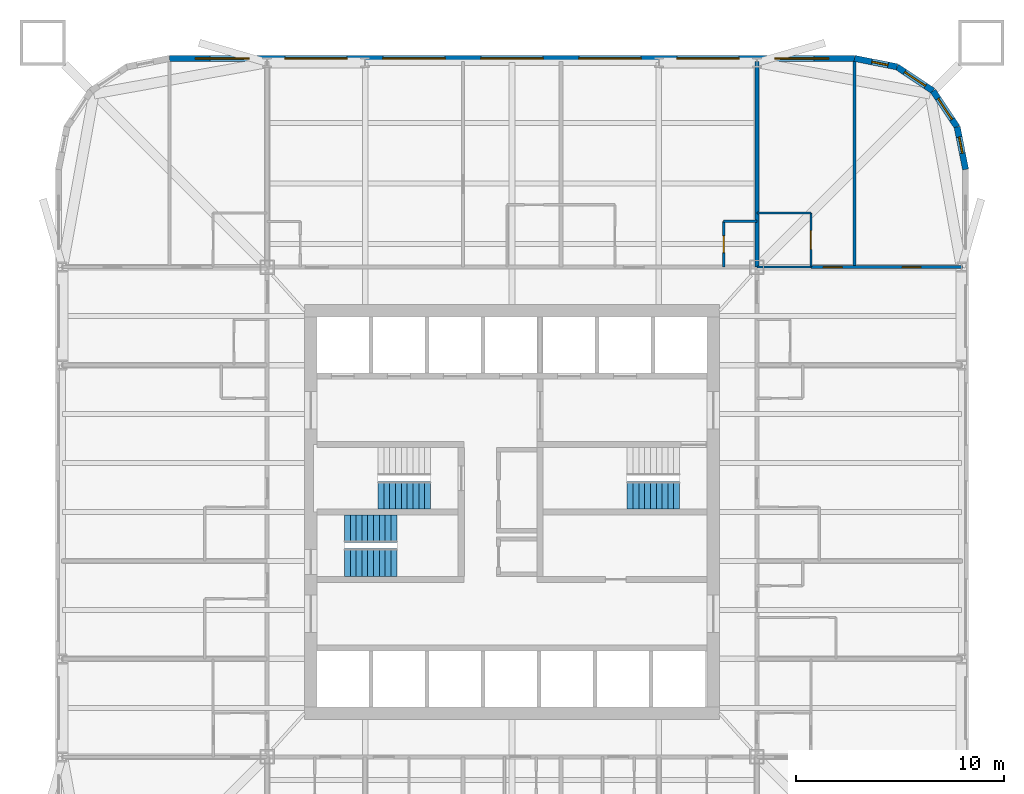
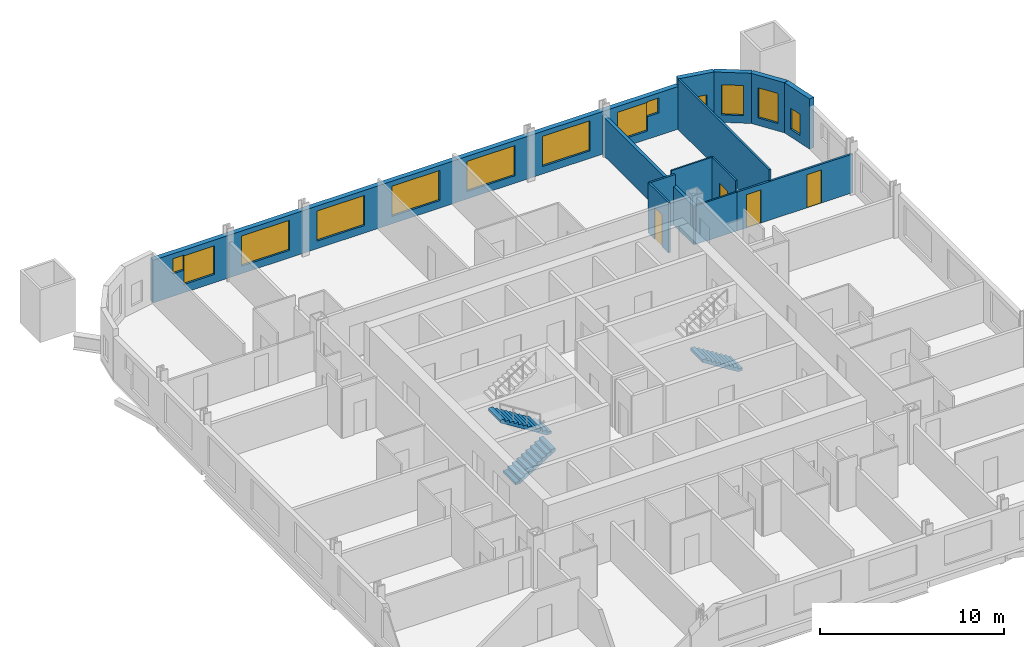
# One storey, part 8 of 10: 13 walls, 13 windows, 4 doors, 4 stair flights, 17 openings, 3 elements without a shape of their own.
"""IFC4 building model written with IfcOpenShell, lengths in metres."""

from ifc_helpers import new_model, si_unit, direction, frame, frame_2d, origin, place, context, subcontext, project, spatial, polyline, rectangle, outline, extrude, material, layer, layer_set, type_object, element, fill, aggregate, save


model = new_model("IFC4")

# Units and contexts
model_context = context("Model", 3, precision=1e-05, world=origin(), true_north=direction((0.0, 1.0)))
body_context = subcontext(model_context, "Body", "Model", "MODEL_VIEW")
ifc_project = project(units=[si_unit("LENGTHUNIT", "METRE"), si_unit("AREAUNIT", "SQUARE_METRE"), si_unit("VOLUMEUNIT", "CUBIC_METRE"), si_unit("PLANEANGLEUNIT", "RADIAN"), si_unit("MASSUNIT", "GRAM", prefix="KILO")], contexts=[model_context])

# Site, building, storey
site_placement = place(None, origin())
site = spatial("IfcSite", under=ifc_project, at=site_placement, CompositionType="ELEMENT")
building_placement = place(site_placement, origin())
building = spatial("IfcBuilding", under=site, at=building_placement, Name="Turquesa Mirador Hotel Tower", CompositionType="ELEMENT")
storey_placement = place(building_placement, frame((0.0, 0.0, 77.5)))
storey = spatial("IfcBuildingStorey", under=building, at=storey_placement, Name="L20", CompositionType="ELEMENT", Elevation=77.5)

# Walls
ifc_material_1 = material(Name="Gypsum board on steel studs", Category="steel")
ifc_layer_1 = layer(ifc_material_1, 0.10009765625)
ifc_layer_set_1 = layer_set([ifc_layer_1], Name="BATHROOM WALL 100")
wall_type_1 = type_object("IfcWallType", Name="BATHROOM WALL 100", PredefinedType="PARTITIONING", material=ifc_layer_set_1)
wall_1_placement = place(storey_placement, frame((66.800048828125, 56.800048828125, 0.0), z_axis=(0.0, 0.0, 1.0), x_axis=(1.0, 0.0, 0.0)))
element("IfcWall", 1, at=wall_1_placement, inside=storey, type_object=wall_type_1, Name="Partition L20 025", PredefinedType="PARTITIONING", context=body_context, shape_type="SweptSolid", body=[
    extrude(rectangle(XDim=2.599853515625, YDim=0.10009765625, at=frame_2d((1.2998046875, 0.0))), origin(), (0.0, 0.0, 1.0), 2.572998046875),
])
wall_2_placement = place(storey_placement, frame((66.800048828125, 59.39990234375, 0.0), z_axis=(0.0, 0.0, 1.0), x_axis=(1.0, 0.0, 0.0)))
element("IfcWall", 2, at=wall_2_placement, inside=storey, type_object=wall_type_1, Name="Partition L20 032", PredefinedType="PARTITIONING", context=body_context, shape_type="SweptSolid", body=[
    extrude(rectangle(XDim=2.599853515625, YDim=0.10009765625, at=frame_2d((1.2998046875, 0.0))), origin(), (0.0, 0.0, 1.0), 3.330078125),
])

# Wall, opening, door
wall_3_placement = place(storey_placement, frame((69.39990234375, 56.800048828125, 0.0), z_axis=(0.0, 0.0, 1.0), x_axis=(0.0, 1.0, 0.0)))
wall_3 = element("IfcWall", 3, at=wall_3_placement, inside=storey, type_object=wall_type_1, Name="Partition L20 068", PredefinedType="PARTITIONING", context=body_context, shape_type="SweptSolid", body=[
    extrude(rectangle(XDim=2.599853515625, YDim=0.10009765625, at=frame_2d((1.2998046875, 0.0))), origin(), (0.0, 0.0, 1.0), 3.330078125),
])
opening_1_placement = place(wall_3_placement, frame((0.85009765625, 0.0, 0.0)))
opening_1 = element("IfcOpeningElement", 4, at=opening_1_placement, cuts=wall_3, Name="Opening D02", PredefinedType="OPENING", context=body_context, shape_type="SweptSolid", body=[
    extrude(rectangle(XDim=0.89990234375, YDim=2.10009765625, at=frame_2d((0.449951171875, 1.050048828125))), frame((0.0, 0.06005859375, 0.0), z_axis=(0.0, -1.0, 0.0), x_axis=(1.0, 0.0, 0.0)), (0.0, 0.0, 1.0), 0.1201171875),
])
ifc_material_2 = material(Name="Timber veneered door", Category="wood")
door_type_1 = type_object("IfcDoorType", Name="DOOR 900X2100 EN-SUITE", OperationType="SINGLE_SWING_RIGHT", PredefinedType="DOOR", material=ifc_material_2)
door_1_placement = place(opening_1_placement, origin())
door_1 = element("IfcDoor", 5, at=door_1_placement, inside=storey, type_object=door_type_1, Name="Door 2012B", OperationType="SINGLE_SWING_RIGHT", OverallHeight=2.10009765625, OverallWidth=0.89990234375, PredefinedType="DOOR", context=body_context, shape_type="SweptSolid", body=[
    extrude(rectangle(XDim=0.89990234375, YDim=2.10009765625, at=frame_2d((0.449951171875, 1.050048828125))), frame((0.0, 0.02490234375, 0.0), z_axis=(0.0, -1.0, 0.0), x_axis=(1.0, 0.0, 0.0)), (0.0, 0.0, 1.0), 0.050048828125),
])
fill(opening_1, door_1)

# Wall, opening, window
ifc_material_3 = material(Name="Limestone cladding on concrete block", Category="masonry")
ifc_layer_2 = layer(ifc_material_3, 0.300048828125)
ifc_layer_set_2 = layer_set([ifc_layer_2], Name="FACADE WALL 300 STONE SCREEN")
wall_type_2 = type_object("IfcWallType", Name="FACADE WALL 300 STONE SCREEN", PredefinedType="SOLIDWALL", material=ifc_layer_set_2)
wall_4_placement = place(storey_placement, frame((76.85009765625, 61.5, 0.0), z_axis=(0.0, 0.0, 1.0), x_axis=(-0.195081421501, 0.980787050784, 0.0)))
wall_4 = element("IfcWall", 6, at=wall_4_placement, inside=storey, type_object=wall_type_2, Name="Facade wall L20 05", PredefinedType="SOLIDWALL", context=body_context, shape_type="SweptSolid", body=[
    extrude(rectangle(XDim=2.08740234375, YDim=0.300048828125, at=frame_2d((1.043701171875, 0.0))), origin(), (0.0, 0.0, 1.0), 3.330078125),
])
opening_2_placement = place(wall_4_placement, frame((0.793701171875, 0.0, 0.5)))
opening_2 = element("IfcOpeningElement", 7, at=opening_2_placement, cuts=wall_4, Name="Opening WN20", PredefinedType="OPENING", context=body_context, shape_type="SweptSolid", body=[
    extrude(rectangle(XDim=0.800048828125, YDim=1.39990234375, at=frame_2d((0.39990234375, 0.699951171875))), frame((0.0, 0.159912109375, 0.0), z_axis=(0.0, -1.0, 0.0), x_axis=(1.0, 0.0, 0.0)), (0.0, 0.0, 1.0), 0.320068359375),
])
ifc_material_4 = material(Name="Ceramic-fritted laminated glass", Category="glass")
window_type_1 = type_object("IfcWindowType", Name="FRITTED CORNER WINDOW 800X1400", PartitioningType="DOUBLE_PANEL_HORIZONTAL", PredefinedType="WINDOW", material=ifc_material_4)
window_1_placement = place(opening_2_placement, origin())
window_1 = element("IfcWindow", 8, at=window_1_placement, inside=storey, type_object=window_type_1, Name="Window L20", OverallHeight=1.39990234375, OverallWidth=0.800048828125, PartitioningType="SINGLE_PANEL", PredefinedType="WINDOW", context=body_context, shape_type="SweptSolid", body=[
    extrude(rectangle(XDim=0.800048828125, YDim=1.39990234375, at=frame_2d((0.39990234375, 0.699951171875))), frame((0.0, 0.030029296875, 0.0), z_axis=(0.0, -1.0, 0.0), x_axis=(1.0, 0.0, 0.0)), (0.0, 0.0, 1.0), 0.06005859375),
])
fill(opening_2, window_1)

wall_5_placement = place(storey_placement, frame((76.44287109375, 63.54736328125, 0.0), z_axis=(0.0, 0.0, 1.0), x_axis=(-0.555644460423, 0.831420010345, 0.0)))
wall_5 = element("IfcWall", 9, at=wall_5_placement, inside=storey, type_object=wall_type_2, Name="Facade wall L20 06", PredefinedType="SOLIDWALL", context=body_context, shape_type="SweptSolid", body=[
    extrude(rectangle(XDim=2.08740234375, YDim=0.300048828125, at=frame_2d((1.043701171875, 0.0))), origin(), (0.0, 0.0, 1.0), 3.330078125),
])
opening_3_placement = place(wall_5_placement, frame((0.443603515625, 0.0, 0.5)))
opening_3 = element("IfcOpeningElement", 10, at=opening_3_placement, cuts=wall_5, Name="Opening WN4", PredefinedType="OPENING", context=body_context, shape_type="SweptSolid", body=[
    extrude(rectangle(XDim=1.199951171875, YDim=2.0, at=frame_2d((0.60009765625, 1.0))), frame((0.0, 0.159912109375, 0.0), z_axis=(0.0, -1.0, 0.0), x_axis=(1.0, 0.0, 0.0)), (0.0, 0.0, 1.0), 0.320068359375),
])
ifc_material_5 = material(Name="Ceramic-fritted laminated glass", Category="glass")
window_type_2 = type_object("IfcWindowType", Name="FRITTED CORNER WINDOW 1200X2000", PartitioningType="DOUBLE_PANEL_HORIZONTAL", PredefinedType="WINDOW", material=ifc_material_5)
window_2_placement = place(opening_3_placement, origin())
window_2 = element("IfcWindow", 11, at=window_2_placement, inside=storey, type_object=window_type_2, Name="Window L20", OverallHeight=2.0, OverallWidth=1.199951171875, PartitioningType="SINGLE_PANEL", PredefinedType="WINDOW", context=body_context, shape_type="SweptSolid", body=[
    extrude(rectangle(XDim=1.199951171875, YDim=2.0, at=frame_2d((0.60009765625, 1.0))), frame((0.0, 0.030029296875, 0.0), z_axis=(0.0, -1.0, 0.0), x_axis=(1.0, 0.0, 0.0)), (0.0, 0.0, 1.0), 0.06005859375),
])
fill(opening_3, window_2)

wall_6_placement = place(storey_placement, frame((75.282958984375, 65.282958984375, 0.0), z_axis=(0.0, 0.0, 1.0), x_axis=(-0.831420010345, 0.555644460423, 0.0)))
wall_6 = element("IfcWall", 12, at=wall_6_placement, inside=storey, type_object=wall_type_2, Name="Facade wall L20 07", PredefinedType="SOLIDWALL", context=body_context, shape_type="SweptSolid", body=[
    extrude(rectangle(XDim=2.08740234375, YDim=0.300048828125, at=frame_2d((1.043701171875, 0.0))), origin(), (0.0, 0.0, 1.0), 3.330078125),
])
opening_4_placement = place(wall_6_placement, frame((0.443603515625, 0.0, 0.5)))
opening_4 = element("IfcOpeningElement", 13, at=opening_4_placement, cuts=wall_6, Name="Opening WN4", PredefinedType="OPENING", context=body_context, shape_type="SweptSolid", body=[
    extrude(rectangle(XDim=1.199951171875, YDim=2.0, at=frame_2d((0.60009765625, 1.0))), frame((0.0, 0.159912109375, 0.0), z_axis=(0.0, -1.0, 0.0), x_axis=(1.0, 0.0, 0.0)), (0.0, 0.0, 1.0), 0.320068359375),
])
window_3_placement = place(opening_4_placement, origin())
window_3 = element("IfcWindow", 14, at=window_3_placement, inside=storey, type_object=window_type_2, Name="Window L20", OverallHeight=2.0, OverallWidth=1.199951171875, PartitioningType="SINGLE_PANEL", PredefinedType="WINDOW", context=body_context, shape_type="SweptSolid", body=[
    extrude(rectangle(XDim=1.199951171875, YDim=2.0, at=frame_2d((0.60009765625, 1.0))), frame((0.0, 0.030029296875, 0.0), z_axis=(0.0, -1.0, 0.0), x_axis=(1.0, 0.0, 0.0)), (0.0, 0.0, 1.0), 0.06005859375),
])
fill(opening_4, window_3)

wall_7_placement = place(storey_placement, frame((73.54736328125, 66.44287109375, 0.0), z_axis=(0.0, 0.0, 1.0), x_axis=(-0.980787050784, 0.195081421501, 0.0)))
wall_7 = element("IfcWall", 15, at=wall_7_placement, inside=storey, type_object=wall_type_2, Name="Facade wall L20 08", PredefinedType="SOLIDWALL", context=body_context, shape_type="SweptSolid", body=[
    extrude(rectangle(XDim=2.08740234375, YDim=0.300048828125, at=frame_2d((1.043701171875, 0.0))), origin(), (0.0, 0.0, 1.0), 3.330078125),
])
opening_5_placement = place(wall_7_placement, frame((0.443603515625, 0.0, 0.5)))
opening_5 = element("IfcOpeningElement", 16, at=opening_5_placement, cuts=wall_7, Name="Opening WN20", PredefinedType="OPENING", context=body_context, shape_type="SweptSolid", body=[
    extrude(rectangle(XDim=0.800048828125, YDim=1.39990234375, at=frame_2d((0.39990234375, 0.699951171875))), frame((0.0, 0.159912109375, 0.0), z_axis=(0.0, -1.0, 0.0), x_axis=(1.0, 0.0, 0.0)), (0.0, 0.0, 1.0), 0.320068359375),
])
window_4_placement = place(opening_5_placement, origin())
window_4 = element("IfcWindow", 17, at=window_4_placement, inside=storey, type_object=window_type_1, Name="Window L20", OverallHeight=1.39990234375, OverallWidth=0.800048828125, PartitioningType="SINGLE_PANEL", PredefinedType="WINDOW", context=body_context, shape_type="SweptSolid", body=[
    extrude(rectangle(XDim=0.800048828125, YDim=1.39990234375, at=frame_2d((0.39990234375, 0.699951171875))), frame((0.0, 0.030029296875, 0.0), z_axis=(0.0, -1.0, 0.0), x_axis=(1.0, 0.0, 0.0)), (0.0, 0.0, 1.0), 0.06005859375),
])
fill(opening_5, window_4)

# Wall, openings, windows
wall_8_placement = place(storey_placement, frame((71.5, 66.85009765625, 0.0), z_axis=(0.0, 0.0, 1.0), x_axis=(-1.0, 0.0, 0.0)))
wall_8 = element("IfcWall", 18, at=wall_8_placement, inside=storey, type_object=wall_type_2, Name="Facade wall L20 09", PredefinedType="SOLIDWALL", context=body_context, shape_type="SweptSolid", body=[
    extrude(rectangle(XDim=33.0, YDim=0.300048828125, at=frame_2d((16.5, 0.0))), origin(), (0.0, 0.0, 1.0), 2.830078125),
])
opening_6_placement = place(wall_8_placement, frame((1.949951171875, 0.0, 0.550048828125)))
opening_6 = element("IfcOpeningElement", 19, at=opening_6_placement, cuts=wall_8, Name="Opening WN48", PredefinedType="OPENING", context=body_context, shape_type="SweptSolid", body=[
    extrude(rectangle(XDim=1.89990234375, YDim=1.89990234375, at=frame_2d((0.949951171875, 0.949951171875))), frame((0.0, 0.159912109375, 0.0), z_axis=(0.0, -1.0, 0.0), x_axis=(1.0, 0.0, 0.0)), (0.0, 0.0, 1.0), 0.320068359375),
])
opening_7_placement = place(wall_8_placement, frame((5.56005859375, 0.0, 0.5)))
opening_7 = element("IfcOpeningElement", 20, at=opening_7_placement, cuts=wall_8, Name="Opening WN1", PredefinedType="OPENING", context=body_context, shape_type="SweptSolid", body=[
    extrude(rectangle(XDim=3.0, YDim=2.0, at=frame_2d((1.5, 1.0))), frame((0.0, 0.159912109375, 0.0), z_axis=(0.0, -1.0, 0.0), x_axis=(1.0, 0.0, 0.0)), (0.0, 0.0, 1.0), 0.320068359375),
])
opening_8_placement = place(wall_8_placement, frame((10.280029296875, 0.0, 0.5)))
opening_8 = element("IfcOpeningElement", 21, at=opening_8_placement, cuts=wall_8, Name="Opening WN1", PredefinedType="OPENING", context=body_context, shape_type="SweptSolid", body=[
    extrude(rectangle(XDim=3.0, YDim=2.0, at=frame_2d((1.5, 1.0))), frame((0.0, 0.159912109375, 0.0), z_axis=(0.0, -1.0, 0.0), x_axis=(1.0, 0.0, 0.0)), (0.0, 0.0, 1.0), 0.320068359375),
])
opening_9_placement = place(wall_8_placement, frame((15.0, 0.0, 0.5)))
opening_9 = element("IfcOpeningElement", 22, at=opening_9_placement, cuts=wall_8, Name="Opening WN1", PredefinedType="OPENING", context=body_context, shape_type="SweptSolid", body=[
    extrude(rectangle(XDim=3.0, YDim=2.0, at=frame_2d((1.5, 1.0))), frame((0.0, 0.159912109375, 0.0), z_axis=(0.0, -1.0, 0.0), x_axis=(1.0, 0.0, 0.0)), (0.0, 0.0, 1.0), 0.320068359375),
])
opening_10_placement = place(wall_8_placement, frame((19.719970703125, 0.0, 0.5)))
opening_10 = element("IfcOpeningElement", 23, at=opening_10_placement, cuts=wall_8, Name="Opening WN1", PredefinedType="OPENING", context=body_context, shape_type="SweptSolid", body=[
    extrude(rectangle(XDim=3.0, YDim=2.0, at=frame_2d((1.5, 1.0))), frame((0.0, 0.159912109375, 0.0), z_axis=(0.0, -1.0, 0.0), x_axis=(1.0, 0.0, 0.0)), (0.0, 0.0, 1.0), 0.320068359375),
])
opening_11_placement = place(wall_8_placement, frame((24.43994140625, 0.0, 0.5)))
opening_11 = element("IfcOpeningElement", 24, at=opening_11_placement, cuts=wall_8, Name="Opening WN1", PredefinedType="OPENING", context=body_context, shape_type="SweptSolid", body=[
    extrude(rectangle(XDim=3.0, YDim=2.0, at=frame_2d((1.5, 1.0))), frame((0.0, 0.159912109375, 0.0), z_axis=(0.0, -1.0, 0.0), x_axis=(1.0, 0.0, 0.0)), (0.0, 0.0, 1.0), 0.320068359375),
])
opening_12_placement = place(wall_8_placement, frame((29.14990234375, 0.0, 0.550048828125)))
opening_12 = element("IfcOpeningElement", 25, at=opening_12_placement, cuts=wall_8, Name="Opening WN48", PredefinedType="OPENING", context=body_context, shape_type="SweptSolid", body=[
    extrude(rectangle(XDim=1.89990234375, YDim=1.89990234375, at=frame_2d((0.949951171875, 0.949951171875))), frame((0.0, 0.159912109375, 0.0), z_axis=(0.0, -1.0, 0.0), x_axis=(1.0, 0.0, 0.0)), (0.0, 0.0, 1.0), 0.320068359375),
])
opening_13_placement = place(wall_8_placement, frame((1.25, 0.0, 1.5)))
opening_13 = element("IfcOpeningElement", 26, at=opening_13_placement, cuts=wall_8, Name="Opening WN32", PredefinedType="OPENING", context=body_context, shape_type="SweptSolid", body=[
    extrude(rectangle(XDim=0.699951171875, YDim=1.0, at=frame_2d((0.35009765625, 0.5))), frame((0.0, 0.159912109375, 0.0), z_axis=(0.0, -1.0, 0.0), x_axis=(1.0, 0.0, 0.0)), (0.0, 0.0, 1.0), 0.320068359375),
])
opening_14_placement = place(wall_8_placement, frame((31.050048828125, 0.0, 1.5)))
opening_14 = element("IfcOpeningElement", 27, at=opening_14_placement, cuts=wall_8, Name="Opening WN32", PredefinedType="OPENING", context=body_context, shape_type="SweptSolid", body=[
    extrude(rectangle(XDim=0.699951171875, YDim=1.0, at=frame_2d((0.35009765625, 0.5))), frame((0.0, 0.159912109375, 0.0), z_axis=(0.0, -1.0, 0.0), x_axis=(1.0, 0.0, 0.0)), (0.0, 0.0, 1.0), 0.320068359375),
])
ifc_material_6 = material(Name="Ceramic-fritted laminated glass", Category="glass")
window_type_3 = type_object("IfcWindowType", Name="FRITTED WINDOW 1900X1900", PartitioningType="DOUBLE_PANEL_HORIZONTAL", PredefinedType="WINDOW", material=ifc_material_6)
window_5_placement = place(opening_6_placement, origin())
window_5 = element("IfcWindow", 28, at=window_5_placement, inside=storey, type_object=window_type_3, Name="Window L20", OverallHeight=1.89990234375, OverallWidth=1.89990234375, PartitioningType="SINGLE_PANEL", PredefinedType="WINDOW", context=body_context, shape_type="SweptSolid", body=[
    extrude(rectangle(XDim=1.89990234375, YDim=1.89990234375, at=frame_2d((0.949951171875, 0.949951171875))), frame((0.0, 0.030029296875, 0.0), z_axis=(0.0, -1.0, 0.0), x_axis=(1.0, 0.0, 0.0)), (0.0, 0.0, 1.0), 0.06005859375),
])
fill(opening_6, window_5)
window_6_placement = place(opening_12_placement, origin())
window_6 = element("IfcWindow", 29, at=window_6_placement, inside=storey, type_object=window_type_3, Name="Window L20", OverallHeight=1.89990234375, OverallWidth=1.89990234375, PartitioningType="SINGLE_PANEL", PredefinedType="WINDOW", context=body_context, shape_type="SweptSolid", body=[
    extrude(rectangle(XDim=1.89990234375, YDim=1.89990234375, at=frame_2d((0.949951171875, 0.949951171875))), frame((0.0, 0.030029296875, 0.0), z_axis=(0.0, -1.0, 0.0), x_axis=(1.0, 0.0, 0.0)), (0.0, 0.0, 1.0), 0.06005859375),
])
fill(opening_12, window_6)
ifc_material_7 = material(Name="Ceramic-fritted laminated glass", Category="glass")
window_type_4 = type_object("IfcWindowType", Name="FRITTED WINDOW 3000X2000", PartitioningType="DOUBLE_PANEL_HORIZONTAL", PredefinedType="WINDOW", material=ifc_material_7)
window_7_placement = place(opening_7_placement, origin())
window_7 = element("IfcWindow", 30, at=window_7_placement, inside=storey, type_object=window_type_4, Name="Window L20", OverallHeight=2.0, OverallWidth=3.0, PartitioningType="SINGLE_PANEL", PredefinedType="WINDOW", context=body_context, shape_type="SweptSolid", body=[
    extrude(rectangle(XDim=3.0, YDim=2.0, at=frame_2d((1.5, 1.0))), frame((0.0, 0.030029296875, 0.0), z_axis=(0.0, -1.0, 0.0), x_axis=(1.0, 0.0, 0.0)), (0.0, 0.0, 1.0), 0.06005859375),
])
fill(opening_7, window_7)
window_8_placement = place(opening_8_placement, origin())
window_8 = element("IfcWindow", 31, at=window_8_placement, inside=storey, type_object=window_type_4, Name="Window L20", OverallHeight=2.0, OverallWidth=3.0, PartitioningType="SINGLE_PANEL", PredefinedType="WINDOW", context=body_context, shape_type="SweptSolid", body=[
    extrude(rectangle(XDim=3.0, YDim=2.0, at=frame_2d((1.5, 1.0))), frame((0.0, 0.030029296875, 0.0), z_axis=(0.0, -1.0, 0.0), x_axis=(1.0, 0.0, 0.0)), (0.0, 0.0, 1.0), 0.06005859375),
])
fill(opening_8, window_8)
window_9_placement = place(opening_9_placement, origin())
window_9 = element("IfcWindow", 32, at=window_9_placement, inside=storey, type_object=window_type_4, Name="Window L20", OverallHeight=2.0, OverallWidth=3.0, PartitioningType="SINGLE_PANEL", PredefinedType="WINDOW", context=body_context, shape_type="SweptSolid", body=[
    extrude(rectangle(XDim=3.0, YDim=2.0, at=frame_2d((1.5, 1.0))), frame((0.0, 0.030029296875, 0.0), z_axis=(0.0, -1.0, 0.0), x_axis=(1.0, 0.0, 0.0)), (0.0, 0.0, 1.0), 0.06005859375),
])
fill(opening_9, window_9)
window_10_placement = place(opening_10_placement, origin())
window_10 = element("IfcWindow", 33, at=window_10_placement, inside=storey, type_object=window_type_4, Name="Window L20", OverallHeight=2.0, OverallWidth=3.0, PartitioningType="SINGLE_PANEL", PredefinedType="WINDOW", context=body_context, shape_type="SweptSolid", body=[
    extrude(rectangle(XDim=3.0, YDim=2.0, at=frame_2d((1.5, 1.0))), frame((0.0, 0.030029296875, 0.0), z_axis=(0.0, -1.0, 0.0), x_axis=(1.0, 0.0, 0.0)), (0.0, 0.0, 1.0), 0.06005859375),
])
fill(opening_10, window_10)
window_11_placement = place(opening_11_placement, origin())
window_11 = element("IfcWindow", 34, at=window_11_placement, inside=storey, type_object=window_type_4, Name="Window L20", OverallHeight=2.0, OverallWidth=3.0, PartitioningType="SINGLE_PANEL", PredefinedType="WINDOW", context=body_context, shape_type="SweptSolid", body=[
    extrude(rectangle(XDim=3.0, YDim=2.0, at=frame_2d((1.5, 1.0))), frame((0.0, 0.030029296875, 0.0), z_axis=(0.0, -1.0, 0.0), x_axis=(1.0, 0.0, 0.0)), (0.0, 0.0, 1.0), 0.06005859375),
])
fill(opening_11, window_11)
ifc_material_8 = material(Name="Ceramic-fritted laminated glass", Category="glass")
window_type_5 = type_object("IfcWindowType", Name="FRITTED WINDOW 700X1000", PartitioningType="DOUBLE_PANEL_HORIZONTAL", PredefinedType="WINDOW", material=ifc_material_8)
window_12_placement = place(opening_13_placement, origin())
window_12 = element("IfcWindow", 35, at=window_12_placement, inside=storey, type_object=window_type_5, Name="Window L20", OverallHeight=1.0, OverallWidth=0.699951171875, PartitioningType="SINGLE_PANEL", PredefinedType="WINDOW", context=body_context, shape_type="SweptSolid", body=[
    extrude(rectangle(XDim=0.699951171875, YDim=1.0, at=frame_2d((0.35009765625, 0.5))), frame((0.0, 0.030029296875, 0.0), z_axis=(0.0, -1.0, 0.0), x_axis=(1.0, 0.0, 0.0)), (0.0, 0.0, 1.0), 0.06005859375),
])
fill(opening_13, window_12)
window_13_placement = place(opening_14_placement, origin())
window_13 = element("IfcWindow", 36, at=window_13_placement, inside=storey, type_object=window_type_5, Name="Window L20", OverallHeight=1.0, OverallWidth=0.699951171875, PartitioningType="SINGLE_PANEL", PredefinedType="WINDOW", context=body_context, shape_type="SweptSolid", body=[
    extrude(rectangle(XDim=0.699951171875, YDim=1.0, at=frame_2d((0.35009765625, 0.5))), frame((0.0, 0.030029296875, 0.0), z_axis=(0.0, -1.0, 0.0), x_axis=(1.0, 0.0, 0.0)), (0.0, 0.0, 1.0), 0.06005859375),
])
fill(opening_14, window_13)

# Wall
ifc_material_9 = material(Name="Fire-rated gypsum board on steel studs", Category="steel")
ifc_layer_3 = layer(ifc_material_9, 0.199951171875)
ifc_layer_set_3 = layer_set([ifc_layer_3], Name="PARTY WALL 200")
wall_type_3 = type_object("IfcWallType", Name="PARTY WALL 200", PredefinedType="PARTITIONING", material=ifc_layer_set_3)
wall_9_placement = place(storey_placement, frame((66.800048828125, 56.800048828125, 0.0), z_axis=(0.0, 0.0, 1.0), x_axis=(0.0, 1.0, 0.0)))
element("IfcWall", 37, at=wall_9_placement, inside=storey, type_object=wall_type_3, Name="Partition L20 063", PredefinedType="PARTITIONING", context=body_context, shape_type="SweptSolid", body=[
    extrude(rectangle(XDim=9.89990234375, YDim=0.199951171875, at=frame_2d((4.949951171875, 0.0))), origin(), (0.0, 0.0, 1.0), 2.572998046875),
])

# Wall, openings, doors
ifc_material_10 = material(Name="Acoustic gypsum board on steel studs", Category="steel")
ifc_layer_4 = layer(ifc_material_10, 0.125)
ifc_layer_set_4 = layer_set([ifc_layer_4], Name="SUITE PARTITION 125")
wall_type_4 = type_object("IfcWallType", Name="SUITE PARTITION 125", PredefinedType="PARTITIONING", material=ifc_layer_set_4)
wall_10_placement = place(storey_placement, frame((69.39990234375, 56.800048828125, 0.0), z_axis=(0.0, 0.0, 1.0), x_axis=(1.0, 0.0, 0.0)))
wall_10 = element("IfcWall", 38, at=wall_10_placement, inside=storey, type_object=wall_type_4, Name="Partition L20 028", PredefinedType="PARTITIONING", context=body_context, shape_type="SweptSolid", body=[
    extrude(rectangle(XDim=7.300048828125, YDim=0.125, at=frame_2d((3.64990234375, 0.0))), origin(), (0.0, 0.0, 1.0), 2.572998046875),
])
opening_15_placement = place(wall_10_placement, frame((0.60009765625, 0.0, 0.0)))
opening_15 = element("IfcOpeningElement", 39, at=opening_15_placement, cuts=wall_10, Name="Opening D17", PredefinedType="OPENING", context=body_context, shape_type="SweptSolid", body=[
    extrude(rectangle(XDim=0.89990234375, YDim=2.199951171875, at=frame_2d((0.449951171875, 1.10009765625))), frame((0.0, 0.072509765625, 0.0), z_axis=(0.0, -1.0, 0.0), x_axis=(1.0, 0.0, 0.0)), (0.0, 0.0, 1.0), 0.14501953125),
])
opening_16_placement = place(wall_10_placement, frame((4.39990234375, 0.0, 0.0)))
opening_16 = element("IfcOpeningElement", 40, at=opening_16_placement, cuts=wall_10, Name="Opening D17", PredefinedType="OPENING", context=body_context, shape_type="SweptSolid", body=[
    extrude(rectangle(XDim=0.89990234375, YDim=2.199951171875, at=frame_2d((0.449951171875, 1.10009765625))), frame((0.0, 0.072509765625, 0.0), z_axis=(0.0, -1.0, 0.0), x_axis=(1.0, 0.0, 0.0)), (0.0, 0.0, 1.0), 0.14501953125),
])
ifc_material_11 = material(Name="Timber veneered door", Category="wood")
door_type_2 = type_object("IfcDoorType", Name="DOOR 900X2200 SUITE INTERNAL", OperationType="SINGLE_SWING_LEFT", PredefinedType="DOOR", material=ifc_material_11)
door_2_placement = place(opening_15_placement, origin())
door_2 = element("IfcDoor", 41, at=door_2_placement, inside=storey, type_object=door_type_2, Name="Door 2012R", OperationType="SINGLE_SWING_LEFT", OverallHeight=2.199951171875, OverallWidth=0.89990234375, PredefinedType="DOOR", context=body_context, shape_type="SweptSolid", body=[
    extrude(rectangle(XDim=0.89990234375, YDim=2.199951171875, at=frame_2d((0.449951171875, 1.10009765625))), frame((0.0, 0.02490234375, 0.0), z_axis=(0.0, -1.0, 0.0), x_axis=(1.0, 0.0, 0.0)), (0.0, 0.0, 1.0), 0.050048828125),
])
fill(opening_15, door_2)
door_3_placement = place(opening_16_placement, origin())
door_3 = element("IfcDoor", 42, at=door_3_placement, inside=storey, type_object=door_type_2, Name="Door 2012S", OperationType="SINGLE_SWING_LEFT", OverallHeight=2.199951171875, OverallWidth=0.89990234375, PredefinedType="DOOR", context=body_context, shape_type="SweptSolid", body=[
    extrude(rectangle(XDim=0.89990234375, YDim=2.199951171875, at=frame_2d((0.449951171875, 1.10009765625))), frame((0.0, 0.02490234375, 0.0), z_axis=(0.0, -1.0, 0.0), x_axis=(1.0, 0.0, 0.0)), (0.0, 0.0, 1.0), 0.050048828125),
])
fill(opening_16, door_3)

# Wall
wall_11_placement = place(storey_placement, frame((65.199951171875, 59.0, 0.0), z_axis=(0.0, 0.0, 1.0), x_axis=(1.0, 0.0, 0.0)))
element("IfcWall", 43, at=wall_11_placement, inside=storey, type_object=wall_type_4, Name="Partition L20 030", PredefinedType="PARTITIONING", context=body_context, shape_type="SweptSolid", body=[
    extrude(rectangle(XDim=1.60009765625, YDim=0.125, at=frame_2d((0.800048828125, 0.0))), origin(), (0.0, 0.0, 1.0), 3.330078125),
])

# Wall, opening, door
wall_12_placement = place(storey_placement, frame((65.199951171875, 56.800048828125, 0.0), z_axis=(0.0, 0.0, 1.0), x_axis=(0.0, 1.0, 0.0)))
wall_12 = element("IfcWall", 44, at=wall_12_placement, inside=storey, type_object=wall_type_4, Name="Partition L20 060", PredefinedType="PARTITIONING", context=body_context, shape_type="SweptSolid", body=[
    extrude(rectangle(XDim=2.199951171875, YDim=0.125, at=frame_2d((1.10009765625, 0.0))), origin(), (0.0, 0.0, 1.0), 3.330078125),
])
opening_17_placement = place(wall_12_placement, frame((0.699951171875, 0.0, 0.0)))
opening_17 = element("IfcOpeningElement", 45, at=opening_17_placement, cuts=wall_12, Name="Opening D20", PredefinedType="OPENING", context=body_context, shape_type="SweptSolid", body=[
    extrude(rectangle(XDim=0.800048828125, YDim=2.10009765625, at=frame_2d((0.39990234375, 1.050048828125))), frame((0.0, 0.072509765625, 0.0), z_axis=(0.0, -1.0, 0.0), x_axis=(1.0, 0.0, 0.0)), (0.0, 0.0, 1.0), 0.14501953125),
])
ifc_material_12 = material(Name="Timber veneered sliding door", Category="wood")
door_type_3 = type_object("IfcDoorType", Name="DOOR 800X2100 WARDROBE", OperationType="SLIDING_TO_LEFT", PredefinedType="DOOR", material=ifc_material_12)
door_4_placement = place(opening_17_placement, origin())
door_4 = element("IfcDoor", 46, at=door_4_placement, inside=storey, type_object=door_type_3, Name="Door 2002W", OperationType="SLIDING_TO_LEFT", OverallHeight=2.10009765625, OverallWidth=0.800048828125, PredefinedType="DOOR", context=body_context, shape_type="SweptSolid", body=[
    extrude(rectangle(XDim=0.800048828125, YDim=2.10009765625, at=frame_2d((0.39990234375, 1.050048828125))), frame((0.0, 0.02490234375, 0.0), z_axis=(0.0, -1.0, 0.0), x_axis=(1.0, 0.0, 0.0)), (0.0, 0.0, 1.0), 0.050048828125),
])
fill(opening_17, door_4)

# Wall
wall_13_placement = place(storey_placement, frame((71.5, 56.800048828125, 0.0), z_axis=(0.0, 0.0, 1.0), x_axis=(0.0, 1.0, 0.0)))
element("IfcWall", 47, at=wall_13_placement, inside=storey, type_object=wall_type_4, Name="Partition L20 072", PredefinedType="PARTITIONING", context=body_context, shape_type="SweptSolid", body=[
    extrude(rectangle(XDim=9.89404296875, YDim=0.125, at=frame_2d((4.947021484375, 0.0))), origin(), (0.0, 0.0, 1.0), 3.330078125),
])

# Stair, stair flight
ifc_material_13 = material(Name="Concrete C35/45", Category="concrete")
stair_type = type_object("IfcStairType", Name="ESCAPE STAIR CORE", PredefinedType="HALF_TURN_STAIR", material=ifc_material_13)
stair_1_placement = place(storey_placement, origin())
stair_1 = element("IfcStair", 48, at=stair_1_placement, inside=storey, type_object=stair_type, Name="Stair ST1 L20 to L21", PredefinedType="HALF_TURN_STAIR")
ifc_material_14 = material(Name="Concrete C35/45 precast flight", Category="concrete")
stair_flight_type = type_object("IfcStairFlightType", Name="STAIR FLIGHT 1330", PredefinedType="STRAIGHT", material=ifc_material_14)
stair_flight_1_placement = place(storey_placement, frame((51.070068359375, 45.81494140625, 0.0), z_axis=(0.0, 0.0, 1.0), x_axis=(-1.0, 0.0, 0.0)))
stair_flight_1 = element("IfcStairFlight", 49, at=stair_flight_1_placement, type_object=stair_flight_type, Name="ST1 flight 1", NumberOfRisers=10, NumberOfTreads=9, PredefinedType="STRAIGHT", RiserHeight=0.175, TreadLength=0.28, context=body_context, shape_type="SweptSolid", body=[
    extrude(outline(polyline([(0.0, 0.0), (0.0, 0.175048828125), (0.280029296875, 0.175048828125), (0.280029296875, 0.35009765625), (0.56005859375, 0.35009765625), (0.56005859375, 0.52490234375), (0.840087890625, 0.52490234375), (0.840087890625, 0.699951171875), (1.1201171875, 0.699951171875), (1.1201171875, 0.875), (1.39990234375, 0.875), (1.39990234375, 1.050048828125), (1.679931640625, 1.050048828125), (1.679931640625, 1.22509765625), (1.9599609375, 1.22509765625), (1.9599609375, 1.39990234375), (2.239990234375, 1.39990234375), (2.239990234375, 1.574951171875), (2.52001953125, 1.574951171875), (2.52001953125, 1.75), (2.52001953125, 1.398193359375), (0.28271484375, 0.0), (0.0, 0.0)])), frame((0.0, 0.6650390625, 0.0), z_axis=(0.0, -1.0, 0.0), x_axis=(1.0, 0.0, 0.0)), (0.0, 0.0, 1.0), 1.330078125),
])
aggregate(stair_1, [stair_flight_1])

# Stair, stair flights
stair_2_placement = place(storey_placement, origin())
stair_2 = element("IfcStair", 50, at=stair_2_placement, inside=storey, type_object=stair_type, Name="Stair ST2 L20 to L21", PredefinedType="HALF_TURN_STAIR")
stair_flight_2_placement = place(storey_placement, frame((46.929931640625, 42.56494140625, 0.0), z_axis=(0.0, 0.0, 1.0), x_axis=(1.0, 0.0, 0.0)))
stair_flight_2 = element("IfcStairFlight", 51, at=stair_flight_2_placement, type_object=stair_flight_type, Name="ST2 flight 1", NumberOfRisers=10, NumberOfTreads=9, PredefinedType="STRAIGHT", RiserHeight=0.175, TreadLength=0.28, context=body_context, shape_type="SweptSolid", body=[
    extrude(outline(polyline([(0.0, 0.0), (0.0, 0.175048828125), (0.280029296875, 0.175048828125), (0.280029296875, 0.35009765625), (0.56005859375, 0.35009765625), (0.56005859375, 0.52490234375), (0.840087890625, 0.52490234375), (0.840087890625, 0.699951171875), (1.1201171875, 0.699951171875), (1.1201171875, 0.875), (1.39990234375, 0.875), (1.39990234375, 1.050048828125), (1.679931640625, 1.050048828125), (1.679931640625, 1.22509765625), (1.9599609375, 1.22509765625), (1.9599609375, 1.39990234375), (2.239990234375, 1.39990234375), (2.239990234375, 1.574951171875), (2.52001953125, 1.574951171875), (2.52001953125, 1.75), (2.52001953125, 1.398193359375), (0.28271484375, 0.0), (0.0, 0.0)])), frame((0.0, 0.6650390625, 0.0), z_axis=(0.0, -1.0, 0.0), x_axis=(1.0, 0.0, 0.0)), (0.0, 0.0, 1.0), 1.330078125),
])
stair_flight_3_placement = place(storey_placement, frame((49.449951171875, 44.18505859375, 1.75), z_axis=(0.0, 0.0, 1.0), x_axis=(-1.0, 0.0, 0.0)))
stair_flight_3 = element("IfcStairFlight", 52, at=stair_flight_3_placement, type_object=stair_flight_type, Name="ST2 flight 2", NumberOfRisers=10, NumberOfTreads=9, PredefinedType="STRAIGHT", RiserHeight=0.175, TreadLength=0.28, context=body_context, shape_type="SweptSolid", body=[
    extrude(outline(polyline([(0.0, 0.0), (0.0, 0.175048828125), (0.280029296875, 0.175048828125), (0.280029296875, 0.35009765625), (0.56005859375, 0.35009765625), (0.56005859375, 0.52490234375), (0.840087890625, 0.52490234375), (0.840087890625, 0.699951171875), (1.1201171875, 0.699951171875), (1.1201171875, 0.875), (1.39990234375, 0.875), (1.39990234375, 1.050048828125), (1.679931640625, 1.050048828125), (1.679931640625, 1.22509765625), (1.9599609375, 1.22509765625), (1.9599609375, 1.39990234375), (2.239990234375, 1.39990234375), (2.239990234375, 1.574951171875), (2.52001953125, 1.574951171875), (2.52001953125, 1.75), (2.52001953125, 1.398193359375), (0.28271484375, 0.0), (0.0, 0.0)])), frame((0.0, 0.6650390625, 0.0), z_axis=(0.0, -1.0, 0.0), x_axis=(1.0, 0.0, 0.0)), (0.0, 0.0, 1.0), 1.330078125),
])
aggregate(stair_2, [stair_flight_2, stair_flight_3])

# Stair, stair flight
stair_3_placement = place(storey_placement, origin())
stair_3 = element("IfcStair", 53, at=stair_3_placement, inside=storey, type_object=stair_type, Name="Stair ST3 L20 to L21", PredefinedType="HALF_TURN_STAIR")
stair_flight_4_placement = place(storey_placement, frame((63.070068359375, 45.81494140625, 0.0), z_axis=(0.0, 0.0, 1.0), x_axis=(-1.0, 0.0, 0.0)))
stair_flight_4 = element("IfcStairFlight", 54, at=stair_flight_4_placement, type_object=stair_flight_type, Name="ST3 flight 1", NumberOfRisers=10, NumberOfTreads=9, PredefinedType="STRAIGHT", RiserHeight=0.175, TreadLength=0.28, context=body_context, shape_type="SweptSolid", body=[
    extrude(outline(polyline([(0.0, 0.0), (0.0, 0.175048828125), (0.280029296875, 0.175048828125), (0.280029296875, 0.35009765625), (0.56005859375, 0.35009765625), (0.56005859375, 0.52490234375), (0.840087890625, 0.52490234375), (0.840087890625, 0.699951171875), (1.1201171875, 0.699951171875), (1.1201171875, 0.875), (1.39990234375, 0.875), (1.39990234375, 1.050048828125), (1.679931640625, 1.050048828125), (1.679931640625, 1.22509765625), (1.9599609375, 1.22509765625), (1.9599609375, 1.39990234375), (2.239990234375, 1.39990234375), (2.239990234375, 1.574951171875), (2.52001953125, 1.574951171875), (2.52001953125, 1.75), (2.52001953125, 1.398193359375), (0.28271484375, 0.0), (0.0, 0.0)])), frame((0.0, 0.6650390625, 0.0), z_axis=(0.0, -1.0, 0.0), x_axis=(1.0, 0.0, 0.0)), (0.0, 0.0, 1.0), 1.330078125),
])
aggregate(stair_3, [stair_flight_4])

save(model, "model.ifc")
